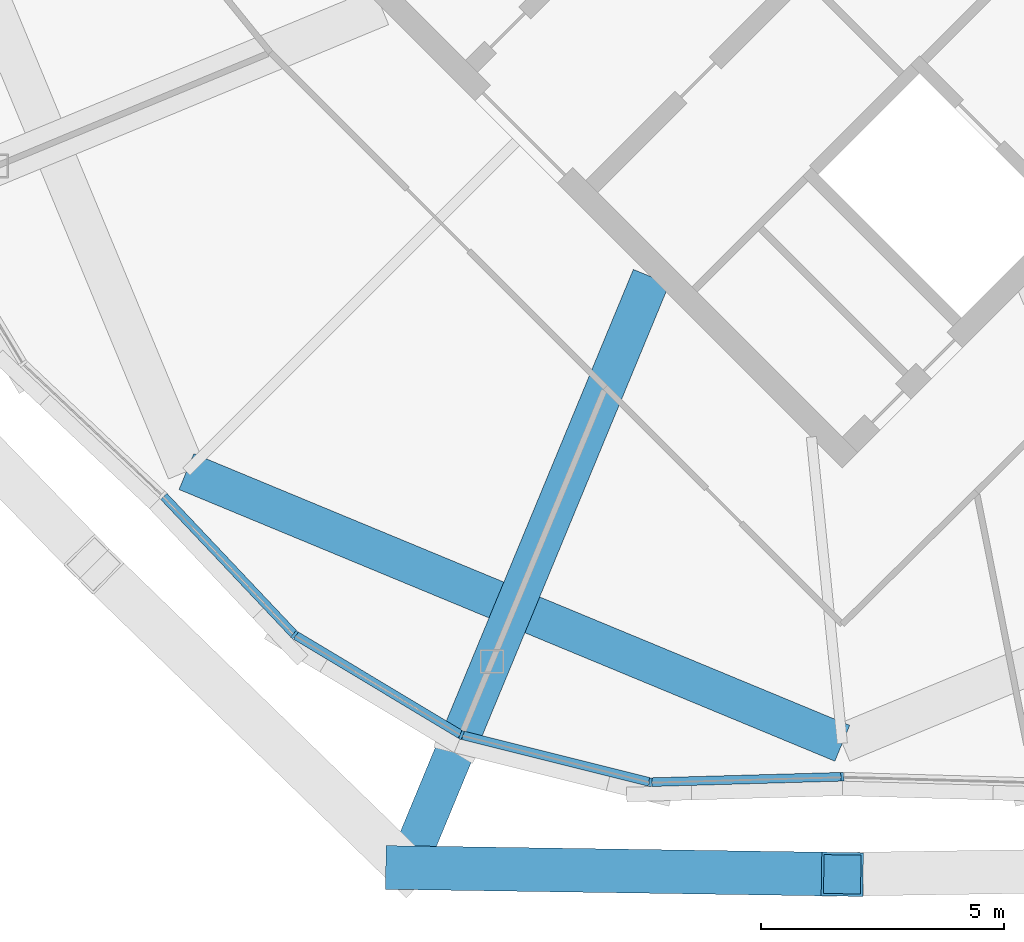
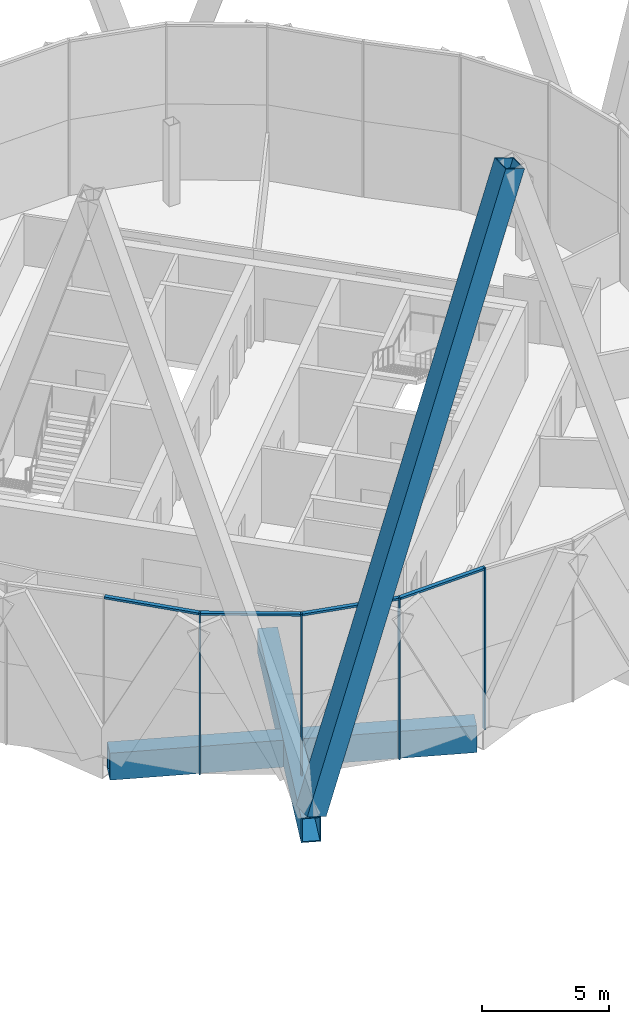
# One storey, part 24 of 53: 9 members, 2 beams, 1 element without a shape of its own.
"""IFC4 building model written with IfcOpenShell, lengths in metres."""

from ifc_helpers import new_model, si_unit, direction, frame, origin, origin_2d, place, context, subcontext, project, spatial, rectangle, hollow_rectangle, extrude, material, material_profile, profile_set, type_object, element, aggregate, save


model = new_model("IFC4")

# Units and contexts
model_context = context("Model", 3, precision=1e-05, world=origin(), true_north=direction((0.0, 1.0)))
body_context = subcontext(model_context, "Body", "Model", "MODEL_VIEW")
ifc_project = project(units=[si_unit("LENGTHUNIT", "METRE"), si_unit("AREAUNIT", "SQUARE_METRE"), si_unit("VOLUMEUNIT", "CUBIC_METRE"), si_unit("PLANEANGLEUNIT", "RADIAN"), si_unit("MASSUNIT", "GRAM", prefix="KILO")], contexts=[model_context])

# Site, building, storey
site_placement = place(None, origin())
site = spatial("IfcSite", under=ifc_project, at=site_placement, CompositionType="ELEMENT")
building_placement = place(site_placement, origin())
building = spatial("IfcBuilding", under=site, at=building_placement, Name="Ogive Gate Towers", CompositionType="ELEMENT")
storey_placement = place(building_placement, frame((0.0, 0.0, 240.60009765625)))
storey = spatial("IfcBuildingStorey", under=building, at=storey_placement, Name="L57", CompositionType="ELEMENT", Elevation=240.60009765625)

# Member
ifc_material_1 = material(Name="Steel SM460", Category="steel")
ifc_material_profile_1 = material_profile(ifc_material_1, hollow_rectangle(XDim=0.89990234375, YDim=0.89990234375, WallThickness=0.050048828125, at=origin_2d()), Name="BX 900x900x50")
ifc_profile_set_1 = profile_set([ifc_material_profile_1], Name="Steel SM460")
member_type_1 = type_object("IfcMemberType", Name="Diagrid diagonal BX 900x900x50", PredefinedType="BRACE", material=ifc_profile_set_1)
member_1_placement = place(storey_placement, frame((27.022216796875, -21.67431640625, 0.0), z_axis=(0.303356073086, -0.00458667981, 0.952866231582), x_axis=(0.015118061019, 0.999885715585, 0.0)))
element("IfcMember", 1, at=member_1_placement, inside=storey, type_object=member_type_1, Name="T2/L57/SDG012", PredefinedType="BRACE", context=body_context, shape_type="SweptSolid", body=[
    extrude(hollow_rectangle(XDim=0.89990234375, YDim=0.89990234375, WallThickness=0.050048828125, at=origin_2d()), origin(), (0.0, 0.0, 1.0), 29.594970703125),
])

# Beam
ifc_material_profile_2 = material_profile(ifc_material_1, hollow_rectangle(XDim=0.800048828125, YDim=1.300048828125, WallThickness=0.050048828125, at=origin_2d()), Name="BX 1300x800x50")
ifc_profile_set_2 = profile_set([ifc_material_profile_2], Name="Steel SM460")
beam_type_1 = type_object("IfcBeamType", Name="Edge girder BX 1300x800x50", PredefinedType="BEAM", material=ifc_profile_set_2)
beam_1_placement = place(storey_placement, frame((22.4873046875, -13.5126953125, -0.9501953125), z_axis=(0.923872994947, -0.38269921506, 0.0), x_axis=(0.38269921506, 0.923872994947, 0.0)))
element("IfcBeam", 2, at=beam_1_placement, inside=storey, type_object=beam_type_1, Name="T2/L57/SBM017", PredefinedType="BEAM", context=body_context, shape_type="SweptSolid", body=[
    extrude(hollow_rectangle(XDim=0.800048828125, YDim=1.300048828125, WallThickness=0.050048828125, at=origin_2d()), origin(), (0.0, 0.0, 1.0), 14.626220703125),
])

# Curtain wall, members
ifc_material_2 = material(Name="Pale metal aluminium", Category="aluminium")
curtain_wall_type = type_object("IfcCurtainWallType", Name="Tower unitised wall, high zone", PredefinedType="NOTDEFINED", material=ifc_material_2)
curtain_wall_placement = place(storey_placement, origin())
curtain_wall = element("IfcCurtainWall", 3, at=curtain_wall_placement, inside=storey, type_object=curtain_wall_type, Name="CW2 T2 ECW06", PredefinedType="NOTDEFINED")
ifc_material_profile_3 = material_profile(ifc_material_2, rectangle(XDim=0.179931640625, YDim=0.06005859375, at=origin_2d()), Name="60 x 180 aluminium box")
ifc_profile_set_3 = profile_set([ifc_material_profile_3], Name="Pale metal aluminium")
member_type_2 = type_object("IfcMemberType", Name="Tower unitised wall, high zone mullion 60 x 180", PredefinedType="MULLION", material=ifc_profile_set_3)
member_2_placement = place(storey_placement, frame((24.715087890625, -16.875, -0.300048828125), z_axis=(0.0, 0.0, 1.0), x_axis=(-0.626671819046, -0.779283280466, 0.0)))
member_2 = element("IfcMember", 4, at=member_2_placement, type_object=member_type_2, Name="CW2 mullion", PredefinedType="MULLION", context=body_context, shape_type="SweptSolid", body=[
    extrude(rectangle(XDim=0.179931640625, YDim=0.06005859375, at=origin_2d()), origin(), (0.0, 0.0, 1.0), 7.800048828125),
])
member_3_placement = place(storey_placement, frame((28.154541015625, -18.940673828125, -0.300048828125), z_axis=(0.0, 0.0, 1.0), x_axis=(-0.382683432365, -0.923879532511, 0.0)))
member_3 = element("IfcMember", 5, at=member_3_placement, type_object=member_type_2, Name="CW2 mullion", PredefinedType="MULLION", context=body_context, shape_type="SweptSolid", body=[
    extrude(rectangle(XDim=0.179931640625, YDim=0.06005859375, at=origin_2d()), origin(), (0.0, 0.0, 1.0), 7.800048828125),
])
member_4_placement = place(storey_placement, frame((32.04736328125, -19.912109375, -0.300048828125), z_axis=(0.0, 0.0, 1.0), x_axis=(-0.107912599257, -0.994160384909, 0.0)))
member_4 = element("IfcMember", 6, at=member_4_placement, type_object=member_type_2, Name="CW2 mullion", PredefinedType="MULLION", context=body_context, shape_type="SweptSolid", body=[
    extrude(rectangle(XDim=0.179931640625, YDim=0.06005859375, at=origin_2d()), origin(), (0.0, 0.0, 1.0), 7.800048828125),
])
member_5_placement = place(storey_placement, frame((35.999755859375, -19.800048828125, -0.300048828125), z_axis=(0.0, 0.0, 1.0), x_axis=(0.028322905681, -0.999598826037, 0.0)))
member_5 = element("IfcMember", 7, at=member_5_placement, type_object=member_type_2, Name="CW2 mullion", PredefinedType="MULLION", context=body_context, shape_type="SweptSolid", body=[
    extrude(rectangle(XDim=0.179931640625, YDim=0.06005859375, at=origin_2d()), origin(), (0.0, 0.0, 1.0), 7.800048828125),
])
ifc_material_profile_4 = material_profile(ifc_material_2, rectangle(XDim=0.179931640625, YDim=0.10009765625, at=origin_2d()), Name="100 x 180 aluminium box")
ifc_profile_set_4 = profile_set([ifc_material_profile_4], Name="Pale metal aluminium")
member_type_3 = type_object("IfcMemberType", Name="Tower unitised wall, high zone transom 100 x 180", PredefinedType="USERDEFINED", material=ifc_profile_set_4)
member_6_placement = place(storey_placement, frame((22.02001953125, -14.022705078125, 7.449951171875), z_axis=(0.686798350204, -0.726848007603, 0.0), x_axis=(0.726848007603, 0.686798350204, 0.0)))
member_6 = element("IfcMember", 8, at=member_6_placement, type_object=member_type_3, Name="CW2 transom", ObjectType="TRANSOM", PredefinedType="USERDEFINED", context=body_context, shape_type="SweptSolid", body=[
    extrude(rectangle(XDim=0.179931640625, YDim=0.10009765625, at=origin_2d()), origin(), (0.0, 0.0, 1.0), 3.895263671875),
])
member_7_placement = place(storey_placement, frame((24.739501953125, -16.8896484375, 7.449951171875), z_axis=(0.857296782072, -0.51482252034, 0.0), x_axis=(0.51482252034, 0.857296782072, 0.0)))
member_7 = element("IfcMember", 9, at=member_7_placement, type_object=member_type_3, Name="CW2 transom", ObjectType="TRANSOM", PredefinedType="USERDEFINED", context=body_context, shape_type="SweptSolid", body=[
    extrude(rectangle(XDim=0.179931640625, YDim=0.10009765625, at=origin_2d()), origin(), (0.0, 0.0, 1.0), 3.955078125),
])
member_8_placement = place(storey_placement, frame((28.18212890625, -18.947509765625, 7.449951171875), z_axis=(0.970251335251, -0.24209986874, 0.0), x_axis=(0.24209986874, 0.970251335251, 0.0)))
member_8 = element("IfcMember", 10, at=member_8_placement, type_object=member_type_3, Name="CW2 transom", ObjectType="TRANSOM", PredefinedType="USERDEFINED", context=body_context, shape_type="SweptSolid", body=[
    extrude(rectangle(XDim=0.179931640625, YDim=0.10009765625, at=origin_2d()), origin(), (0.0, 0.0, 1.0), 3.955078125),
])
member_9_placement = place(storey_placement, frame((32.075927734375, -19.9111328125, 7.449951171875), z_axis=(0.999598654458, 0.02832896055, 0.0), x_axis=(-0.02832896055, 0.999598654458, 0.0)))
member_9 = element("IfcMember", 11, at=member_9_placement, type_object=member_type_3, Name="CW2 transom", ObjectType="TRANSOM", PredefinedType="USERDEFINED", context=body_context, shape_type="SweptSolid", body=[
    extrude(rectangle(XDim=0.179931640625, YDim=0.10009765625, at=origin_2d()), origin(), (0.0, 0.0, 1.0), 3.895263671875),
])
aggregate(curtain_wall, [member_2, member_6, member_3, member_7, member_4, member_8, member_5, member_9])

# Beam
ifc_material_profile_5 = material_profile(ifc_material_1, hollow_rectangle(XDim=0.800048828125, YDim=1.199951171875, WallThickness=0.050048828125, at=origin_2d()), Name="BX 1200x800x50")
ifc_profile_set_5 = profile_set([ifc_material_profile_5], Name="Steel SM460")
beam_type_2 = type_object("IfcBeamType", Name="Transfer radial beam BX 1200x800x50", PredefinedType="BEAM", material=ifc_profile_set_5)
beam_2_placement = place(storey_placement, frame((32.06494140625, -9.5, -0.900146484375), z_axis=(-0.382680688612, -0.923880669006, 0.0), x_axis=(0.923880669006, -0.382680688612, 0.0)))
element("IfcBeam", 12, at=beam_2_placement, inside=storey, type_object=beam_type_2, Name="T2/L57/SBM002", PredefinedType="BEAM", context=body_context, shape_type="SweptSolid", body=[
    extrude(hollow_rectangle(XDim=0.800048828125, YDim=1.199951171875, WallThickness=0.050048828125, at=origin_2d()), origin(), (0.0, 0.0, 1.0), 13.177490234375),
])

save(model, "model.ifc")
